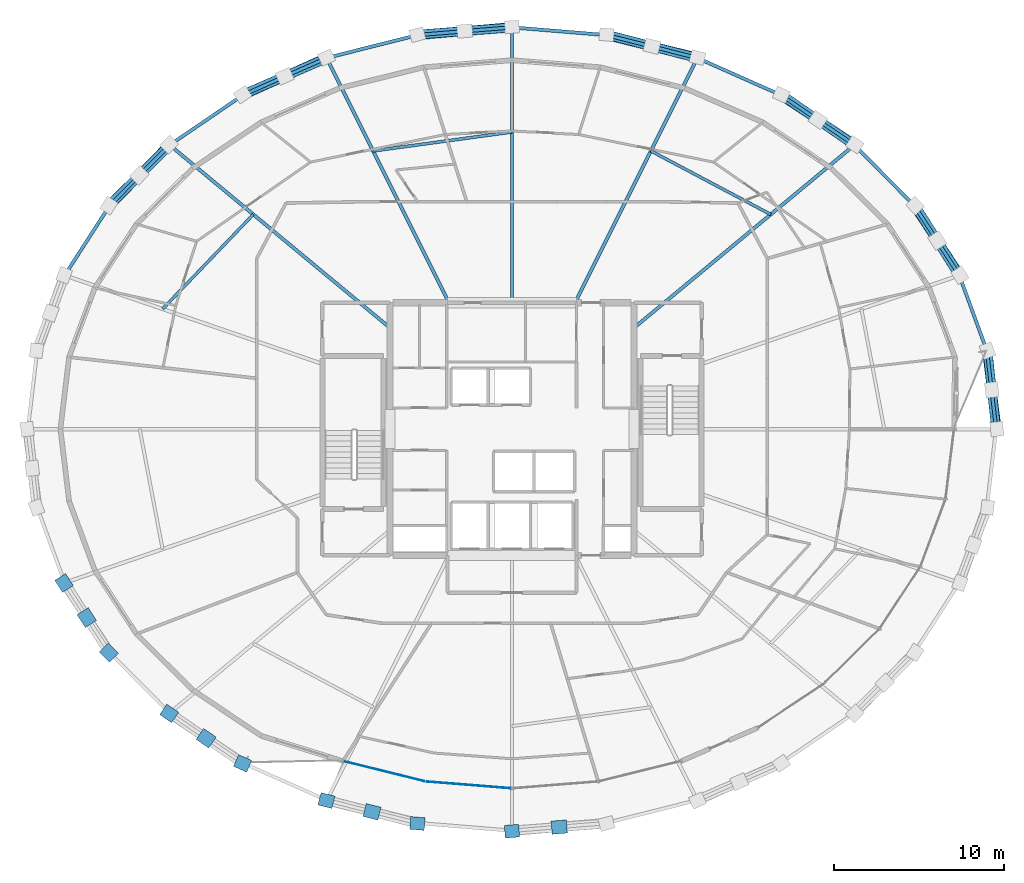
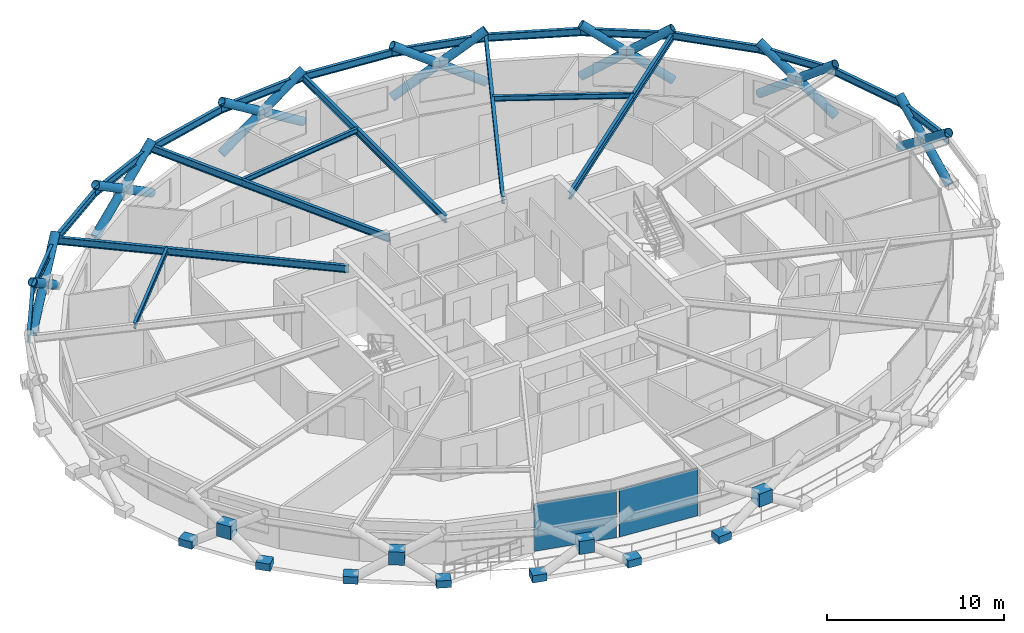
# One storey, part 12 of 21: 22 beams, 21 members, 13 plates, 1 element without a shape of its own.
"""IFC4 building model written with IfcOpenShell, lengths in metres."""

from ifc_helpers import new_model, si_unit, direction, frame, origin, origin_2d, place, context, subcontext, project, spatial, rectangle, hollow_circle, i_section, extrude, material, layer, layer_set, material_profile, profile_set, type_object, element, aggregate, save


model = new_model("IFC4")

# Units and contexts
model_context = context("Model", 3, precision=1e-05, world=origin(), true_north=direction((0.0, 1.0)))
body_context = subcontext(model_context, "Body", "Model", "MODEL_VIEW")
ifc_project = project(units=[si_unit("LENGTHUNIT", "METRE"), si_unit("AREAUNIT", "SQUARE_METRE"), si_unit("VOLUMEUNIT", "CUBIC_METRE"), si_unit("PLANEANGLEUNIT", "RADIAN"), si_unit("MASSUNIT", "GRAM", prefix="KILO")], contexts=[model_context])

# Site, building, storey
site_placement = place(None, origin())
site = spatial("IfcSite", under=ifc_project, at=site_placement, CompositionType="ELEMENT")
building_placement = place(site_placement, origin())
building = spatial("IfcBuilding", under=site, at=building_placement, Name="Veldorina Hangang Commons", CompositionType="ELEMENT")
storey_placement = place(building_placement, frame((0.0, 0.0, 128.0)))
storey = spatial("IfcBuildingStorey", under=building, at=storey_placement, Name="L32", CompositionType="ELEMENT", Elevation=128.0)

# Beams
ifc_material_1 = material(Name="Steel SM420-TMC", Category="steel")
ifc_material_profile_1 = material_profile(ifc_material_1, i_section(OverallWidth=0.199951171875, OverallDepth=0.5, WebThickness=0.010009765625, FlangeThickness=0.01611328125, FilletRadius=0.01611328125, at=origin_2d()), Name="H-500x200x10x16")
ifc_profile_set_1 = profile_set([ifc_material_profile_1], Name="Steel SM420-TMC")
beam_type_1 = type_object("IfcBeamType", Name="BM-FG500", PredefinedType="BEAM", material=ifc_profile_set_1)
beam_1_placement = place(storey_placement, frame((39.199951171875, 29.97314453125, 3.10009765625), z_axis=(0.769634147532, 0.638485143878, 0.0), x_axis=(-0.638485143878, 0.769634147532, 0.0)))
element("IfcBeam", 1, at=beam_1_placement, inside=storey, type_object=beam_type_1, Name="L32 radial floor girder 03", PredefinedType="BEAM", context=body_context, shape_type="SweptSolid", body=[
    extrude(i_section(OverallWidth=0.199951171875, OverallDepth=0.5, WebThickness=0.010009765625, FlangeThickness=0.01611328125, FilletRadius=0.01611328125, at=origin_2d()), origin(), (0.0, 0.0, 1.0), 16.875),
])
beam_2_placement = place(storey_placement, frame((35.7197265625, 31.449951171875, 3.10009765625), z_axis=(0.446698926258, 0.89468434058, 0.0), x_axis=(-0.89468434058, 0.446698926258, 0.0)))
element("IfcBeam", 2, at=beam_2_placement, inside=storey, type_object=beam_type_1, Name="L32 radial floor girder 04", PredefinedType="BEAM", context=body_context, shape_type="SweptSolid", body=[
    extrude(i_section(OverallWidth=0.199951171875, OverallDepth=0.5, WebThickness=0.010009765625, FlangeThickness=0.01611328125, FilletRadius=0.01611328125, at=origin_2d()), origin(), (0.0, 0.0, 1.0), 16.130615234375),
])
beam_3_placement = place(storey_placement, frame((32.0, 31.449951171875, 3.10009765625), z_axis=(0.0, 1.0, 0.0), x_axis=(-1.0, 0.0, 0.0)))
element("IfcBeam", 3, at=beam_3_placement, inside=storey, type_object=beam_type_1, Name="L32 radial floor girder 05", PredefinedType="BEAM", context=body_context, shape_type="SweptSolid", body=[
    extrude(i_section(OverallWidth=0.199951171875, OverallDepth=0.5, WebThickness=0.010009765625, FlangeThickness=0.01611328125, FilletRadius=0.01611328125, at=origin_2d()), origin(), (0.0, 0.0, 1.0), 16.23486328125),
])
beam_4_placement = place(storey_placement, frame((28.2802734375, 31.449951171875, 3.10009765625), z_axis=(-0.446698926258, 0.89468434058, 0.0), x_axis=(-0.89468434058, -0.446698926258, 0.0)))
element("IfcBeam", 4, at=beam_4_placement, inside=storey, type_object=beam_type_1, Name="L32 radial floor girder 06", PredefinedType="BEAM", context=body_context, shape_type="SweptSolid", body=[
    extrude(i_section(OverallWidth=0.199951171875, OverallDepth=0.5, WebThickness=0.010009765625, FlangeThickness=0.01611328125, FilletRadius=0.01611328125, at=origin_2d()), origin(), (0.0, 0.0, 1.0), 16.130615234375),
])
beam_5_placement = place(storey_placement, frame((24.800048828125, 29.97314453125, 3.10009765625), z_axis=(-0.769634147532, 0.638485143878, 0.0), x_axis=(-0.638485143878, -0.769634147532, 0.0)))
element("IfcBeam", 5, at=beam_5_placement, inside=storey, type_object=beam_type_1, Name="L32 radial floor girder 07", PredefinedType="BEAM", context=body_context, shape_type="SweptSolid", body=[
    extrude(i_section(OverallWidth=0.199951171875, OverallDepth=0.5, WebThickness=0.010009765625, FlangeThickness=0.01611328125, FilletRadius=0.01611328125, at=origin_2d()), origin(), (0.0, 0.0, 1.0), 16.875),
])
ifc_material_2 = material(Name="Steel SM355-TMC", Category="steel")
ifc_material_profile_2 = material_profile(ifc_material_2, i_section(OverallWidth=0.175048828125, OverallDepth=0.35009765625, WebThickness=0.007080078125, FlangeThickness=0.010986328125, FilletRadius=0.012939453125, at=origin_2d()), Name="H-350x175x7x11")
ifc_profile_set_2 = profile_set([ifc_material_profile_2], Name="Steel SM355-TMC")
beam_type_2 = type_object("IfcBeamType", Name="BM-JST350", PredefinedType="JOIST", material=ifc_profile_set_2)
beam_6_placement = place(storey_placement, frame((47.252197265625, 36.6533203125, 3.175048828125), z_axis=(-0.883574668701, 0.46829029974, 0.0), x_axis=(-0.46829029974, -0.883574668701, 0.0)))
element("IfcBeam", 6, at=beam_6_placement, inside=storey, type_object=beam_type_2, Name="L32 secondary floor joist 03", PredefinedType="JOIST", context=body_context, shape_type="SweptSolid", body=[
    extrude(i_section(OverallWidth=0.175048828125, OverallDepth=0.35009765625, WebThickness=0.007080078125, FlangeThickness=0.010986328125, FilletRadius=0.012939453125, at=origin_2d()), origin(), (0.0, 0.0, 1.0), 7.995849609375),
])
beam_7_placement = place(storey_placement, frame((32.0, 41.515380859375, 3.175048828125), z_axis=(-0.990810200502, -0.135259552643, 0.0), x_axis=(0.135259552643, -0.990810200502, 0.0)))
element("IfcBeam", 7, at=beam_7_placement, inside=storey, type_object=beam_type_2, Name="L32 secondary floor joist 05", PredefinedType="JOIST", context=body_context, shape_type="SweptSolid", body=[
    extrude(i_section(OverallWidth=0.175048828125, OverallDepth=0.35009765625, WebThickness=0.007080078125, FlangeThickness=0.010986328125, FilletRadius=0.012939453125, at=origin_2d()), origin(), (0.0, 0.0, 1.0), 8.26318359375),
])
beam_8_placement = place(storey_placement, frame((16.747802734375, 36.6533203125, 3.175048828125), z_axis=(-0.692437098705, -0.721478249386, 0.0), x_axis=(0.721478249386, -0.692437098705, 0.0)))
element("IfcBeam", 8, at=beam_8_placement, inside=storey, type_object=beam_type_2, Name="L32 secondary floor joist 07", PredefinedType="JOIST", context=body_context, shape_type="SweptSolid", body=[
    extrude(i_section(OverallWidth=0.175048828125, OverallDepth=0.35009765625, WebThickness=0.007080078125, FlangeThickness=0.010986328125, FilletRadius=0.012939453125, at=origin_2d()), origin(), (0.0, 0.0, 1.0), 7.725830078125),
])
ifc_material_profile_3 = material_profile(ifc_material_1, i_section(OverallWidth=0.199951171875, OverallDepth=0.5, WebThickness=0.010009765625, FlangeThickness=0.01611328125, FilletRadius=0.01611328125, at=origin_2d()), Name="H-500x200x10x16")
ifc_profile_set_3 = profile_set([ifc_material_profile_3], Name="Steel SM420-TMC")
beam_type_3 = type_object("IfcBeamType", Name="BM-RB500", PredefinedType="BEAM", material=ifc_profile_set_3)
beam_9_placement = place(storey_placement, frame((60.549560546875, 24.0, 3.10009765625), z_axis=(-0.117897542711, 0.993025764733, 0.0), x_axis=(-0.993025764733, -0.117897542711, 0.0)))
element("IfcBeam", 9, at=beam_9_placement, inside=storey, type_object=beam_type_3, Name="L32 perimeter hoop ring beam 00", PredefinedType="BEAM", context=body_context, shape_type="SweptSolid", body=[
    extrude(i_section(OverallWidth=0.199951171875, OverallDepth=0.5, WebThickness=0.010009765625, FlangeThickness=0.01611328125, FilletRadius=0.01611328125, at=origin_2d()), origin(), (0.0, 0.0, 1.0), 4.653076171875),
])
beam_10_placement = place(storey_placement, frame((60.0009765625, 28.62060546875, 3.10009765625), z_axis=(-0.343437214821, 0.939175638247, 0.0), x_axis=(-0.939175638247, -0.343437214821, 0.0)))
element("IfcBeam", 10, at=beam_10_placement, inside=storey, type_object=beam_type_3, Name="L32 perimeter hoop ring beam 01", PredefinedType="BEAM", context=body_context, shape_type="SweptSolid", body=[
    extrude(i_section(OverallWidth=0.199951171875, OverallDepth=0.5, WebThickness=0.010009765625, FlangeThickness=0.01611328125, FilletRadius=0.01611328125, at=origin_2d()), origin(), (0.0, 0.0, 1.0), 4.73095703125),
])
beam_11_placement = place(storey_placement, frame((58.376220703125, 33.063720703125, 3.10009765625), z_axis=(-0.541608468254, 0.840630874472, 0.0), x_axis=(-0.840630874472, -0.541608468254, 0.0)))
element("IfcBeam", 11, at=beam_11_placement, inside=storey, type_object=beam_type_3, Name="L32 perimeter hoop ring beam 02", PredefinedType="BEAM", context=body_context, shape_type="SweptSolid", body=[
    extrude(i_section(OverallWidth=0.199951171875, OverallDepth=0.5, WebThickness=0.010009765625, FlangeThickness=0.01611328125, FilletRadius=0.01611328125, at=origin_2d()), origin(), (0.0, 0.0, 1.0), 4.87109375),
])
beam_12_placement = place(storey_placement, frame((55.738037109375, 37.158447265625, 3.10009765625), z_axis=(-0.703276147778, 0.710916774289, 0.0), x_axis=(-0.710916774289, -0.703276147778, 0.0)))
element("IfcBeam", 12, at=beam_12_placement, inside=storey, type_object=beam_type_3, Name="L32 perimeter hoop ring beam 03", PredefinedType="BEAM", context=body_context, shape_type="SweptSolid", body=[
    extrude(i_section(OverallWidth=0.199951171875, OverallDepth=0.5, WebThickness=0.010009765625, FlangeThickness=0.01611328125, FilletRadius=0.01611328125, at=origin_2d()), origin(), (0.0, 0.0, 1.0), 5.048583984375),
])
beam_13_placement = place(storey_placement, frame((52.1875, 40.74755859375, 3.10009765625), z_axis=(-0.826607096324, 0.56277944908, 0.0), x_axis=(-0.56277944908, -0.826607096324, 0.0)))
element("IfcBeam", 13, at=beam_13_placement, inside=storey, type_object=beam_type_3, Name="L32 perimeter hoop ring beam 04", PredefinedType="BEAM", context=body_context, shape_type="SweptSolid", body=[
    extrude(i_section(OverallWidth=0.199951171875, OverallDepth=0.5, WebThickness=0.010009765625, FlangeThickness=0.01611328125, FilletRadius=0.01611328125, at=origin_2d()), origin(), (0.0, 0.0, 1.0), 5.23388671875),
])
beam_14_placement = place(storey_placement, frame((47.861083984375, 43.693115234375, 3.10009765625), z_axis=(-0.914152451428, 0.405370565715, 0.0), x_axis=(-0.405370565715, -0.914152451428, 0.0)))
element("IfcBeam", 14, at=beam_14_placement, inside=storey, type_object=beam_type_3, Name="L32 perimeter hoop ring beam 05", PredefinedType="BEAM", context=body_context, shape_type="SweptSolid", body=[
    extrude(i_section(OverallWidth=0.199951171875, OverallDepth=0.5, WebThickness=0.010009765625, FlangeThickness=0.01611328125, FilletRadius=0.01611328125, at=origin_2d()), origin(), (0.0, 0.0, 1.0), 5.3994140625),
])
beam_15_placement = place(storey_placement, frame((42.92529296875, 45.8818359375, 3.10009765625), z_axis=(-0.969769500775, 0.244022776327, 0.0), x_axis=(-0.244022776327, -0.969769500775, 0.0)))
element("IfcBeam", 15, at=beam_15_placement, inside=storey, type_object=beam_type_3, Name="L32 perimeter hoop ring beam 06", PredefinedType="BEAM", context=body_context, shape_type="SweptSolid", body=[
    extrude(i_section(OverallWidth=0.199951171875, OverallDepth=0.5, WebThickness=0.010009765625, FlangeThickness=0.01611328125, FilletRadius=0.01611328125, at=origin_2d()), origin(), (0.0, 0.0, 1.0), 5.522705078125),
])
for number, where, z_axis, x_axis, name in (
    (16, (37.569580078125, 47.2294921875, 3.10009765625), (-0.996674992602, 0.081479808057, 0.0), (-0.081479808057, -0.996674992602, 0.0), "L32 perimeter hoop ring beam 07"),
    (17, (32.0, 47.684814453125, 3.10009765625), (-0.996674992602, -0.081479808057, 0.0), (0.081479808057, -0.996674992602, 0.0), "L32 perimeter hoop ring beam 08"),
):
    element("IfcBeam", number, at=place(storey_placement, frame(where, z_axis=z_axis, x_axis=x_axis)), inside=storey, type_object=beam_type_3, Name=name, PredefinedType="BEAM", context=body_context, shape_type="SweptSolid", body=[
        extrude(i_section(OverallWidth=0.199951171875, OverallDepth=0.5, WebThickness=0.010009765625, FlangeThickness=0.01611328125, FilletRadius=0.01611328125, at=origin_2d()), origin(), (0.0, 0.0, 1.0), 5.588134765625),
    ])
beam_16_placement = place(storey_placement, frame((26.430419921875, 47.2294921875, 3.10009765625), z_axis=(-0.969769500775, -0.244022776327, 0.0), x_axis=(0.244022776327, -0.969769500775, 0.0)))
element("IfcBeam", 18, at=beam_16_placement, inside=storey, type_object=beam_type_3, Name="L32 perimeter hoop ring beam 09", PredefinedType="BEAM", context=body_context, shape_type="SweptSolid", body=[
    extrude(i_section(OverallWidth=0.199951171875, OverallDepth=0.5, WebThickness=0.010009765625, FlangeThickness=0.01611328125, FilletRadius=0.01611328125, at=origin_2d()), origin(), (0.0, 0.0, 1.0), 5.522705078125),
])
beam_17_placement = place(storey_placement, frame((21.07470703125, 45.8818359375, 3.10009765625), z_axis=(-0.914152451428, -0.405370565715, 0.0), x_axis=(0.405370565715, -0.914152451428, 0.0)))
element("IfcBeam", 19, at=beam_17_placement, inside=storey, type_object=beam_type_3, Name="L32 perimeter hoop ring beam 10", PredefinedType="BEAM", context=body_context, shape_type="SweptSolid", body=[
    extrude(i_section(OverallWidth=0.199951171875, OverallDepth=0.5, WebThickness=0.010009765625, FlangeThickness=0.01611328125, FilletRadius=0.01611328125, at=origin_2d()), origin(), (0.0, 0.0, 1.0), 5.3994140625),
])
beam_18_placement = place(storey_placement, frame((16.138916015625, 43.693115234375, 3.10009765625), z_axis=(-0.826607096324, -0.56277944908, 0.0), x_axis=(0.56277944908, -0.826607096324, 0.0)))
element("IfcBeam", 20, at=beam_18_placement, inside=storey, type_object=beam_type_3, Name="L32 perimeter hoop ring beam 11", PredefinedType="BEAM", context=body_context, shape_type="SweptSolid", body=[
    extrude(i_section(OverallWidth=0.199951171875, OverallDepth=0.5, WebThickness=0.010009765625, FlangeThickness=0.01611328125, FilletRadius=0.01611328125, at=origin_2d()), origin(), (0.0, 0.0, 1.0), 5.23388671875),
])
beam_19_placement = place(storey_placement, frame((11.8125, 40.74755859375, 3.10009765625), z_axis=(-0.703276147778, -0.710916774289, 0.0), x_axis=(0.710916774289, -0.703276147778, 0.0)))
element("IfcBeam", 21, at=beam_19_placement, inside=storey, type_object=beam_type_3, Name="L32 perimeter hoop ring beam 12", PredefinedType="BEAM", context=body_context, shape_type="SweptSolid", body=[
    extrude(i_section(OverallWidth=0.199951171875, OverallDepth=0.5, WebThickness=0.010009765625, FlangeThickness=0.01611328125, FilletRadius=0.01611328125, at=origin_2d()), origin(), (0.0, 0.0, 1.0), 5.048583984375),
])
beam_20_placement = place(storey_placement, frame((8.261962890625, 37.158447265625, 3.10009765625), z_axis=(-0.541608468254, -0.840630874472, 0.0), x_axis=(0.840630874472, -0.541608468254, 0.0)))
element("IfcBeam", 22, at=beam_20_placement, inside=storey, type_object=beam_type_3, Name="L32 perimeter hoop ring beam 13", PredefinedType="BEAM", context=body_context, shape_type="SweptSolid", body=[
    extrude(i_section(OverallWidth=0.199951171875, OverallDepth=0.5, WebThickness=0.010009765625, FlangeThickness=0.01611328125, FilletRadius=0.01611328125, at=origin_2d()), origin(), (0.0, 0.0, 1.0), 4.87109375),
])

# Members
ifc_material_profile_4 = material_profile(ifc_material_1, hollow_circle(Radius=0.27490234375, WallThickness=0.028076171875, at=origin_2d()), Name="CHS-550x28")
ifc_profile_set_4 = profile_set([ifc_material_profile_4], Name="Steel SM420-TMC")
member_type = type_object("IfcMemberType", Name="DG-CHS550", PredefinedType="BRACE", material=ifc_profile_set_4)
member_1_placement = place(storey_placement, frame((60.58544921875, 24.0, 0.0), z_axis=(-0.100283515768, 0.784807679437, 0.611571845953), x_axis=(-0.991934642077, -0.126750407681, 0.0)))
element("IfcMember", 23, at=member_1_placement, inside=storey, type_object=member_type, Name="L32 continuous perimeter diagrid brace 00", PredefinedType="BRACE", context=body_context, shape_type="SweptSolid", body=[
    extrude(hollow_circle(Radius=0.27490234375, WallThickness=0.028076171875, at=origin_2d()), origin(), (0.0, 0.0, 1.0), 5.88671875),
])
member_2_placement = place(storey_placement, frame((60.0361328125, 28.62548828125, 0.0), z_axis=(0.086344636757, -0.786225563704, 0.611877411482), x_axis=(0.994023602014, 0.109165372898, 0.0)))
element("IfcMember", 24, at=member_2_placement, inside=storey, type_object=member_type, Name="L32 split perimeter diagrid lower brace 01", PredefinedType="BRACE", context=body_context, shape_type="SweptSolid", body=[
    extrude(hollow_circle(Radius=0.27490234375, WallThickness=0.028076171875, at=origin_2d()), origin(), (0.0, 0.0, 1.0), 2.943359375),
])
member_3_placement = place(storey_placement, frame((60.290283203125, 26.311279296875, 1.801025390625), z_axis=(0.086200110084, -0.786181543513, 0.61195434606), x_axis=(0.994042752905, 0.10899085006, 0.0)))
element("IfcMember", 25, at=member_3_placement, inside=storey, type_object=member_type, Name="L32 split perimeter diagrid upper brace 01", PredefinedType="BRACE", context=body_context, shape_type="SweptSolid", body=[
    extrude(hollow_circle(Radius=0.27490234375, WallThickness=0.028076171875, at=origin_2d()), origin(), (0.0, 0.0, 1.0), 2.93994140625),
])
member_4_placement = place(storey_placement, frame((58.40966796875, 33.073486328125, 0.0), z_axis=(-0.441249856703, 0.673084133325, 0.593511847755), x_axis=(-0.836310902879, -0.548255482166, 0.0)))
element("IfcMember", 26, at=member_4_placement, inside=storey, type_object=member_type, Name="L32 continuous perimeter diagrid brace 02", PredefinedType="BRACE", context=body_context, shape_type="SweptSolid", body=[
    extrude(hollow_circle(Radius=0.27490234375, WallThickness=0.028076171875, at=origin_2d()), origin(), (0.0, 0.0, 1.0), 6.065673828125),
])
member_5_placement = place(storey_placement, frame((55.76806640625, 37.172607421875, 0.0), z_axis=(0.430124408632, -0.679088639908, 0.594837467083), x_axis=(0.844799429232, 0.535083100434, 0.0)))
element("IfcMember", 27, at=member_5_placement, inside=storey, type_object=member_type, Name="L32 split perimeter diagrid lower brace 03", PredefinedType="BRACE", context=body_context, shape_type="SweptSolid", body=[
    extrude(hollow_circle(Radius=0.27490234375, WallThickness=0.028076171875, at=origin_2d()), origin(), (0.0, 0.0, 1.0), 3.028076171875),
])
member_6_placement = place(storey_placement, frame((57.070556640625, 35.1162109375, 1.80126953125), z_axis=(0.429974607104, -0.679191958237, 0.594827807951), x_axis=(0.844920446448, 0.534891988325, 0.0)))
element("IfcMember", 28, at=member_6_placement, inside=storey, type_object=member_type, Name="L32 split perimeter diagrid upper brace 03", PredefinedType="BRACE", context=body_context, shape_type="SweptSolid", body=[
    extrude(hollow_circle(Radius=0.27490234375, WallThickness=0.028076171875, at=origin_2d()), origin(), (0.0, 0.0, 1.0), 3.024169921875),
])
member_7_placement = place(storey_placement, frame((52.212890625, 40.765380859375, 0.0), z_axis=(-0.684503540861, 0.459635800674, 0.565853190578), x_axis=(-0.557468099696, -0.830198360526, 0.0)))
element("IfcMember", 29, at=member_7_placement, inside=storey, type_object=member_type, Name="L32 continuous perimeter diagrid brace 04", PredefinedType="BRACE", context=body_context, shape_type="SweptSolid", body=[
    extrude(hollow_circle(Radius=0.27490234375, WallThickness=0.028076171875, at=origin_2d()), origin(), (0.0, 0.0, 1.0), 6.3623046875),
])
member_8_placement = place(storey_placement, frame((47.88134765625, 43.714111328125, 0.0), z_axis=(0.677826604259, -0.46779799103, 0.567200259297), x_axis=(0.568005588947, 0.823024696425, 0.0)))
element("IfcMember", 30, at=member_8_placement, inside=storey, type_object=member_type, Name="L32 split perimeter diagrid lower brace 05", PredefinedType="BRACE", context=body_context, shape_type="SweptSolid", body=[
    extrude(hollow_circle(Radius=0.27490234375, WallThickness=0.028076171875, at=origin_2d()), origin(), (0.0, 0.0, 1.0), 3.17578125),
])
member_9_placement = place(storey_placement, frame((50.033935546875, 42.228515625, 1.80126953125), z_axis=(0.677752470469, -0.467898627387, 0.56720583853), x_axis=(0.568130433383, 0.822938521801, 0.0)))
element("IfcMember", 31, at=member_9_placement, inside=storey, type_object=member_type, Name="L32 split perimeter diagrid upper brace 05", PredefinedType="BRACE", context=body_context, shape_type="SweptSolid", body=[
    extrude(hollow_circle(Radius=0.27490234375, WallThickness=0.028076171875, at=origin_2d()), origin(), (0.0, 0.0, 1.0), 3.17138671875),
])
member_10_placement = place(storey_placement, frame((42.939208984375, 45.905029296875, 0.0), z_axis=(-0.813840431794, 0.200111959977, 0.545544640751), x_axis=(-0.238773790717, -0.971075216895, 0.0)))
element("IfcMember", 32, at=member_10_placement, inside=storey, type_object=member_type, Name="L32 continuous perimeter diagrid brace 06", PredefinedType="BRACE", context=body_context, shape_type="SweptSolid", body=[
    extrude(hollow_circle(Radius=0.27490234375, WallThickness=0.028076171875, at=origin_2d()), origin(), (0.0, 0.0, 1.0), 6.59912109375),
])
member_11_placement = place(storey_placement, frame((37.576904296875, 47.25439453125, 0.0), z_axis=(0.811199923208, -0.208778295468, 0.546229171619), x_axis=(0.249247109094, 0.968439919979, 0.0)))
element("IfcMember", 33, at=member_11_placement, inside=storey, type_object=member_type, Name="L32 split perimeter diagrid lower brace 07", PredefinedType="BRACE", context=body_context, shape_type="SweptSolid", body=[
    extrude(hollow_circle(Radius=0.27490234375, WallThickness=0.028076171875, at=origin_2d()), origin(), (0.0, 0.0, 1.0), 3.297607421875),
])
member_12_placement = place(storey_placement, frame((40.251953125, 46.56591796875, 1.80126953125), z_axis=(0.811147902327, -0.20892192567, 0.546251507572), x_axis=(0.249422917328, 0.968394655247, 0.0)))
element("IfcMember", 34, at=member_12_placement, inside=storey, type_object=member_type, Name="L32 split perimeter diagrid upper brace 07", PredefinedType="BRACE", context=body_context, shape_type="SweptSolid", body=[
    extrude(hollow_circle(Radius=0.27490234375, WallThickness=0.028076171875, at=origin_2d()), origin(), (0.0, 0.0, 1.0), 3.29296875),
])
member_13_placement = place(storey_placement, frame((32.0, 47.7099609375, 0.0), z_axis=(-0.837552874872, -0.072853036247, 0.54147725428), x_axis=(0.086656003069, -0.996238293348, 0.0)))
element("IfcMember", 35, at=member_13_placement, inside=storey, type_object=member_type, Name="L32 continuous perimeter diagrid brace 08", PredefinedType="BRACE", context=body_context, shape_type="SweptSolid", body=[
    extrude(hollow_circle(Radius=0.27490234375, WallThickness=0.028076171875, at=origin_2d()), origin(), (0.0, 0.0, 1.0), 6.648681640625),
])
member_14_placement = place(storey_placement, frame((26.423095703125, 47.25439453125, 0.0), z_axis=(0.838444647764, 0.064038685695, 0.541211252073), x_axis=(-0.076156143848, 0.99709590399, 0.0)))
element("IfcMember", 36, at=member_14_placement, inside=storey, type_object=member_type, Name="L32 split perimeter diagrid lower brace 09", PredefinedType="BRACE", context=body_context, shape_type="SweptSolid", body=[
    extrude(hollow_circle(Radius=0.27490234375, WallThickness=0.028076171875, at=origin_2d()), origin(), (0.0, 0.0, 1.0), 3.328125),
])
member_15_placement = place(storey_placement, frame((29.213623046875, 47.467529296875, 1.80126953125), z_axis=(0.838407073154, 0.064131199059, 0.541258504775), x_axis=(-0.076268921301, 0.997087283864, 0.0)))
element("IfcMember", 37, at=member_15_placement, inside=storey, type_object=member_type, Name="L32 split perimeter diagrid upper brace 09", PredefinedType="BRACE", context=body_context, shape_type="SweptSolid", body=[
    extrude(hollow_circle(Radius=0.27490234375, WallThickness=0.028076171875, at=origin_2d()), origin(), (0.0, 0.0, 1.0), 3.323486328125),
])
member_16_placement = place(storey_placement, frame((21.060791015625, 45.905029296875, 0.0), z_axis=(-0.758412310499, -0.341581044596, 0.555097430418), x_axis=(0.410660095116, -0.911788509622, 0.0)))
element("IfcMember", 38, at=member_16_placement, inside=storey, type_object=member_type, Name="L32 continuous perimeter diagrid brace 10", PredefinedType="BRACE", context=body_context, shape_type="SweptSolid", body=[
    extrude(hollow_circle(Radius=0.27490234375, WallThickness=0.028076171875, at=origin_2d()), origin(), (0.0, 0.0, 1.0), 6.485595703125),
])
member_17_placement = place(storey_placement, frame((16.11865234375, 43.714111328125, 0.0), z_axis=(0.763043915463, 0.332940043413, 0.553999016757), x_axis=(-0.399919659441, 0.916550198294, 0.0)))
element("IfcMember", 39, at=member_17_placement, inside=storey, type_object=member_type, Name="L32 split perimeter diagrid lower brace 11", PredefinedType="BRACE", context=body_context, shape_type="SweptSolid", body=[
    extrude(hollow_circle(Radius=0.27490234375, WallThickness=0.028076171875, at=origin_2d()), origin(), (0.0, 0.0, 1.0), 3.25146484375),
])
member_18_placement = place(storey_placement, frame((18.599609375, 44.796630859375, 1.80126953125), z_axis=(0.762986089834, 0.333030983726, 0.554023998216), x_axis=(-0.400036883082, 0.916499041011, 0.0)))
element("IfcMember", 40, at=member_18_placement, inside=storey, type_object=member_type, Name="L32 split perimeter diagrid upper brace 11", PredefinedType="BRACE", context=body_context, shape_type="SweptSolid", body=[
    extrude(hollow_circle(Radius=0.27490234375, WallThickness=0.028076171875, at=origin_2d()), origin(), (0.0, 0.0, 1.0), 3.246826171875),
])
member_19_placement = place(storey_placement, frame((11.787109375, 40.765380859375, 0.0), z_axis=(-0.56823709699, -0.582581940828, 0.581123811098), x_axis=(0.715865185106, -0.698238524254, 0.0)))
element("IfcMember", 41, at=member_19_placement, inside=storey, type_object=member_type, Name="L32 continuous perimeter diagrid brace 12", PredefinedType="BRACE", context=body_context, shape_type="SweptSolid", body=[
    extrude(hollow_circle(Radius=0.27490234375, WallThickness=0.028076171875, at=origin_2d()), origin(), (0.0, 0.0, 1.0), 6.195068359375),
])
member_20_placement = place(storey_placement, frame((8.23193359375, 37.172607421875, 0.0), z_axis=(0.577242509165, 0.575121160622, 0.579678131567), x_axis=(-0.705803895558, 0.708407270583, 0.0)))
element("IfcMember", 42, at=member_20_placement, inside=storey, type_object=member_type, Name="L32 split perimeter diagrid lower brace 13", PredefinedType="BRACE", context=body_context, shape_type="SweptSolid", body=[
    extrude(hollow_circle(Radius=0.27490234375, WallThickness=0.028076171875, at=origin_2d()), origin(), (0.0, 0.0, 1.0), 3.107421875),
])
member_21_placement = place(storey_placement, frame((10.025634765625, 38.959716796875, 1.80126953125), z_axis=(0.577163775582, 0.575196887034, 0.579681392924), x_axis=(-0.705898838934, 0.708312663441, 0.0)))
element("IfcMember", 43, at=member_21_placement, inside=storey, type_object=member_type, Name="L32 split perimeter diagrid upper brace 13", PredefinedType="BRACE", context=body_context, shape_type="SweptSolid", body=[
    extrude(hollow_circle(Radius=0.27490234375, WallThickness=0.028076171875, at=origin_2d()), origin(), (0.0, 0.0, 1.0), 3.10302734375),
])

# Curtain wall, plates
ifc_material_3 = material(Name="Glass Low-E Triple IGU", Category="glass")
ifc_layer_1 = layer(ifc_material_3, 0.179931640625)
ifc_layer_set_1 = layer_set([ifc_layer_1], Name="Glass Low-E Triple IGU")
curtain_wall_type = type_object("IfcCurtainWallType", Name="CW-SYS-Z2", PredefinedType="NOTDEFINED", material=ifc_layer_set_1)
curtain_wall_placement = place(storey_placement, origin())
curtain_wall = element("IfcCurtainWall", 44, at=curtain_wall_placement, inside=storey, type_object=curtain_wall_type, Name="L32 unitised curtain wall CW-L32-R1", PredefinedType="NOTDEFINED")
ifc_layer_2 = layer(ifc_material_3, 0.0400390625)
ifc_layer_set_2 = layer_set([ifc_layer_2], Name="Glass Low-E Triple IGU")
plate_type_1 = type_object("IfcPlateType", Name="CW-PNL-VIS", PredefinedType="CURTAIN_PANEL", material=ifc_layer_set_2)
plate_1_placement = place(storey_placement, frame((24.47021484375, 3.8203125, 0.01513671875), z_axis=(0.0, 0.0, 1.0), x_axis=(0.970913215163, -0.239431678403, 0.0)))
plate_1 = element("IfcPlate", 45, at=plate_1_placement, type_object=plate_type_1, Name="CW-L32-R1 facet 1 glazed vision panel", PredefinedType="CURTAIN_PANEL", context=body_context, shape_type="SweptSolid", body=[
    extrude(rectangle(XDim=4.856201171875, YDim=0.0400390625, at=origin_2d()), origin(), (0.0, 0.0, 1.0), 3.280029296875),
])
plate_2_placement = place(storey_placement, frame((29.45751953125, 3.013671875, 0.01513671875), z_axis=(0.0, 0.0, 1.0), x_axis=(0.996809599152, -0.079816182813, 0.0)))
plate_2 = element("IfcPlate", 46, at=plate_2_placement, type_object=plate_type_1, Name="CW-L32-R1 facet 2 glazed vision panel", PredefinedType="CURTAIN_PANEL", context=body_context, shape_type="SweptSolid", body=[
    extrude(rectangle(XDim=4.92138671875, YDim=0.0400390625, at=origin_2d()), origin(), (0.0, 0.0, 1.0), 3.280029296875),
])
aggregate(curtain_wall, [plate_1, plate_2])

# Plates
ifc_material_4 = material(Name="Steel SM460-TMC", Category="steel")
ifc_layer_3 = layer(ifc_material_4, 0.035888671875)
ifc_layer_set_3 = layer_set([ifc_layer_3], Name="Steel SM460-TMC")
plate_type_2 = type_object("IfcPlateType", Name="PL-STAR-36", PredefinedType="USERDEFINED", material=ifc_layer_set_3)
plate_3_placement = place(storey_placement, frame((5.59033203125, 14.926513671875, -0.090087890625), z_axis=(0.0, 0.0, 1.0), x_axis=(0.541693539545, -0.84057605796, 0.0)))
element("IfcPlate", 47, at=plate_3_placement, inside=storey, type_object=plate_type_2, Name="L32 diagrid star-node gusset plate 18", ObjectType="GUSSET PLATE", PredefinedType="USERDEFINED", context=body_context, shape_type="SweptSolid", body=[
    extrude(rectangle(XDim=0.85009765625, YDim=0.75, at=origin_2d()), origin(), (0.0, 0.0, 1.0), 0.5),
])
plate_4_placement = place(storey_placement, frame((6.929443359375, 12.8837890625, 1.351318359375), z_axis=(0.0, 0.0, 1.0), x_axis=(0.541693539545, -0.84057605796, 0.0)))
element("IfcPlate", 48, at=plate_4_placement, inside=storey, type_object=plate_type_2, Name="L32 diagrid X-crossing star-node gusset plate 18", ObjectType="GUSSET PLATE", PredefinedType="USERDEFINED", context=body_context, shape_type="SweptSolid", body=[
    extrude(rectangle(XDim=0.89990234375, YDim=0.780029296875, at=origin_2d()), origin(), (0.0, 0.0, 1.0), 0.89990234375),
])
for number, where, z_axis, x_axis, name in (
    (49, (8.23193359375, 10.827392578125, -0.090087890625), (0.0, 0.0, 1.0), (0.703345077932, -0.710848578355, 0.0), "L32 diagrid star-node gusset plate 19"),
    (50, (11.787109375, 7.234619140625, -0.090087890625), (0.0, 0.0, 1.0), (0.826648681389, -0.562718364333, 0.0), "L32 diagrid star-node gusset plate 20"),
):
    element("IfcPlate", number, at=place(storey_placement, frame(where, z_axis=z_axis, x_axis=x_axis)), inside=storey, type_object=plate_type_2, Name=name, ObjectType="GUSSET PLATE", PredefinedType="USERDEFINED", context=body_context, shape_type="SweptSolid", body=[
        extrude(rectangle(XDim=0.85009765625, YDim=0.75, at=origin_2d()), origin(), (0.0, 0.0, 1.0), 0.5),
    ])
plate_5_placement = place(storey_placement, frame((13.966064453125, 5.771484375, 1.351318359375), z_axis=(0.0, 0.0, 1.0), x_axis=(0.826648681389, -0.562718364333, 0.0)))
element("IfcPlate", 51, at=plate_5_placement, inside=storey, type_object=plate_type_2, Name="L32 diagrid X-crossing star-node gusset plate 20", ObjectType="GUSSET PLATE", PredefinedType="USERDEFINED", context=body_context, shape_type="SweptSolid", body=[
    extrude(rectangle(XDim=0.89990234375, YDim=0.780029296875, at=origin_2d()), origin(), (0.0, 0.0, 1.0), 0.89990234375),
])
for number, where, z_axis, x_axis, name in (
    (52, (16.11865234375, 4.285888671875, -0.090087890625), (0.0, 0.0, 1.0), (0.914190304464, -0.405285192457, 0.0), "L32 diagrid star-node gusset plate 21"),
    (53, (21.060791015625, 2.094970703125, -0.090087890625), (0.0, 0.0, 1.0), (0.96977414381, -0.244004323727, 0.0), "L32 diagrid star-node gusset plate 22"),
):
    element("IfcPlate", number, at=place(storey_placement, frame(where, z_axis=z_axis, x_axis=x_axis)), inside=storey, type_object=plate_type_2, Name=name, ObjectType="GUSSET PLATE", PredefinedType="USERDEFINED", context=body_context, shape_type="SweptSolid", body=[
        extrude(rectangle(XDim=0.85009765625, YDim=0.75, at=origin_2d()), origin(), (0.0, 0.0, 1.0), 0.5),
    ])
plate_6_placement = place(storey_placement, frame((23.748046875, 1.43408203125, 1.351318359375), z_axis=(0.0, 0.0, 1.0), x_axis=(0.96977414381, -0.244004323727, 0.0)))
element("IfcPlate", 54, at=plate_6_placement, inside=storey, type_object=plate_type_2, Name="L32 diagrid X-crossing star-node gusset plate 22", ObjectType="GUSSET PLATE", PredefinedType="USERDEFINED", context=body_context, shape_type="SweptSolid", body=[
    extrude(rectangle(XDim=0.89990234375, YDim=0.780029296875, at=origin_2d()), origin(), (0.0, 0.0, 1.0), 0.89990234375),
])
for number, where, z_axis, x_axis, name in (
    (55, (26.423095703125, 0.74560546875, -0.090087890625), (0.0, 0.0, 1.0), (0.996680153102, -0.081416659306, 0.0), "L32 diagrid star-node gusset plate 23"),
    (56, (32.0, 0.2900390625, -0.090087890625), (0.0, 0.0, 1.0), (0.996680153102, 0.081416659306, 0.0), "L32 diagrid star-node gusset plate 24"),
):
    element("IfcPlate", number, at=place(storey_placement, frame(where, z_axis=z_axis, x_axis=x_axis)), inside=storey, type_object=plate_type_2, Name=name, ObjectType="GUSSET PLATE", PredefinedType="USERDEFINED", context=body_context, shape_type="SweptSolid", body=[
        extrude(rectangle(XDim=0.85009765625, YDim=0.75, at=origin_2d()), origin(), (0.0, 0.0, 1.0), 0.5),
    ])
plate_7_placement = place(storey_placement, frame((34.786376953125, 0.532470703125, 1.351318359375), z_axis=(0.0, 0.0, 1.0), x_axis=(0.996680153102, 0.081416659306, 0.0)))
element("IfcPlate", 57, at=plate_7_placement, inside=storey, type_object=plate_type_2, Name="L32 diagrid X-crossing star-node gusset plate 24", ObjectType="GUSSET PLATE", PredefinedType="USERDEFINED", context=body_context, shape_type="SweptSolid", body=[
    extrude(rectangle(XDim=0.89990234375, YDim=0.780029296875, at=origin_2d()), origin(), (0.0, 0.0, 1.0), 0.89990234375),
])

save(model, "model.ifc")
